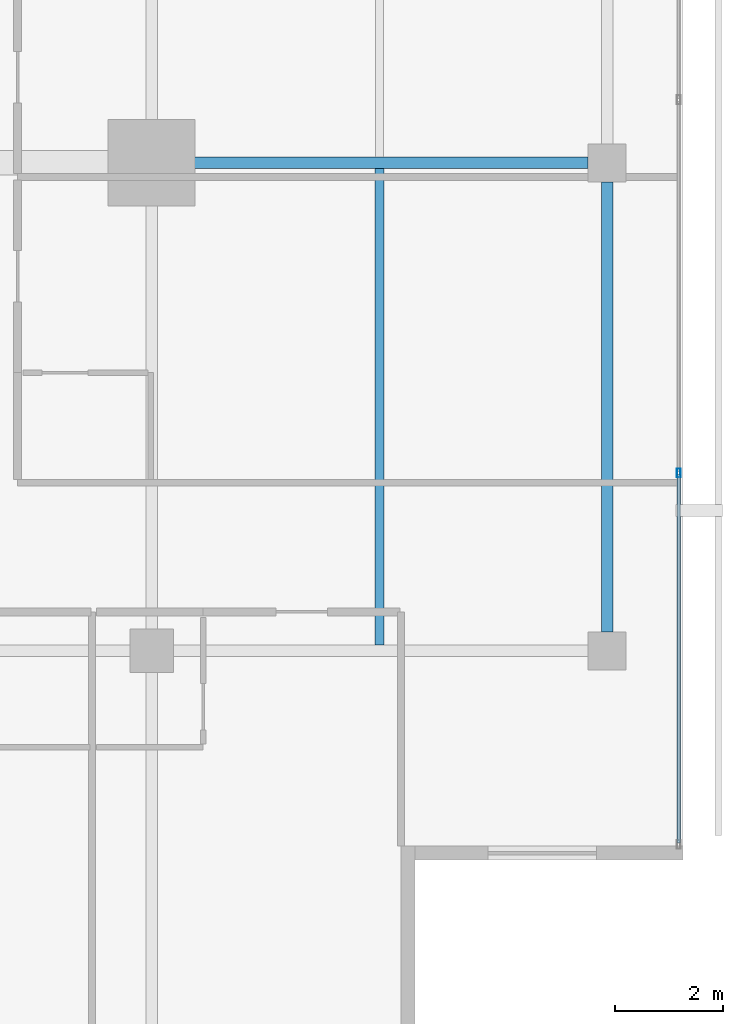
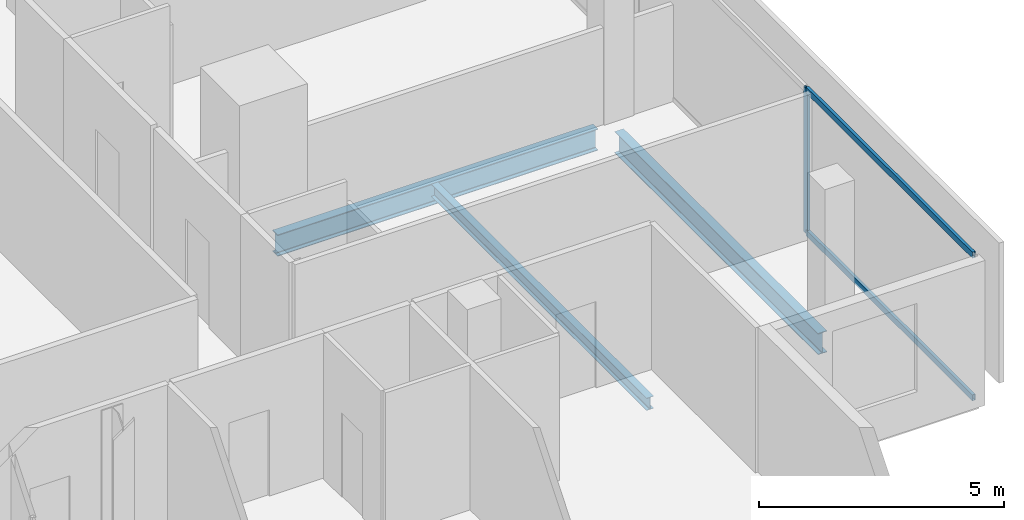
# One storey, part 12 of 25: 3 beams, 3 members, 1 element without a shape of its own.
"""IFC4 building model written with IfcOpenShell, lengths in metres."""

from ifc_helpers import new_model, si_unit, direction, frame, origin, origin_2d, place, context, subcontext, project, spatial, hollow_rectangle, i_section, extrude, material, layer, layer_set, material_profile, profile_set, type_object, element, aggregate, save


model = new_model("IFC4")

# Units and contexts
model_context = context("Model", 3, precision=1e-05, world=origin(), true_north=direction((0.0, 1.0)))
body_context = subcontext(model_context, "Body", "Model", "MODEL_VIEW")
ifc_project = project(units=[si_unit("LENGTHUNIT", "METRE"), si_unit("AREAUNIT", "SQUARE_METRE"), si_unit("VOLUMEUNIT", "CUBIC_METRE"), si_unit("PLANEANGLEUNIT", "RADIAN"), si_unit("MASSUNIT", "GRAM", prefix="KILO")], contexts=[model_context])

# Site, building, storey
site_placement = place(None, origin())
site = spatial("IfcSite", under=ifc_project, at=site_placement, CompositionType="ELEMENT")
building_placement = place(site_placement, origin())
building = spatial("IfcBuilding", under=site, at=building_placement, Name="Maruvema Waterfront Hotel and Observation Tower", CompositionType="ELEMENT")
storey_placement = place(building_placement, frame((0.0, 0.0, 239.39990234375)))
storey = spatial("IfcBuildingStorey", under=building, at=storey_placement, Name="L58", CompositionType="ELEMENT", Elevation=239.39990234375)

# Curtain wall, members
ifc_material_1 = material(Name="Anodised bronze aluminium and solar-control low-E IGU", Category="aluminium")
ifc_layer = layer(ifc_material_1, 0.159912109375, Name="Zone 3 Champagne Inner Thermal Curtain Wall System CW-04")
ifc_layer_set = layer_set([ifc_layer], Name="Anodised bronze aluminium and solar-control low-E IGU")
curtain_wall_type = type_object("IfcCurtainWallType", Name="Zone 3 Champagne Inner Thermal Curtain Wall System CW-04", PredefinedType="USERDEFINED", material=ifc_layer_set)
curtain_wall_placement = place(storey_placement, origin())
curtain_wall = element("IfcCurtainWall", 1, at=curtain_wall_placement, inside=storey, type_object=curtain_wall_type, Name="L58 Curtain Wall CW-L58-E", ObjectType="UNITISED CURTAIN WALL", PredefinedType="USERDEFINED")
ifc_material_2 = material(Name="Anodised architectural bronze aluminium", Category="aluminium")
ifc_material_profile_1 = material_profile(ifc_material_2, hollow_rectangle(XDim=0.070068359375, YDim=0.14990234375, WallThickness=0.00390625, at=origin_2d()), Name="ALU-T70x150")
ifc_profile_set_1 = profile_set([ifc_material_profile_1], Name="Anodised architectural bronze aluminium")
member_type_1 = type_object("IfcMemberType", Name="Curtain Wall Horizontal Transom ALU-T70x150", PredefinedType="USERDEFINED", material=ifc_profile_set_1)
member_1_placement = place(storey_placement, frame((60.1201171875, 14.4599609375, 0.030029296875), z_axis=(0.0, 1.0, 0.0), x_axis=(-1.0, 0.0, 0.0)))
member_1 = element("IfcMember", 2, at=member_1_placement, type_object=member_type_1, Name="CW-04 transom 1.1", ObjectType="TRANSOM", PredefinedType="USERDEFINED", context=body_context, shape_type="SweptSolid", body=[
    extrude(hollow_rectangle(XDim=0.070068359375, YDim=0.14990234375, WallThickness=0.00390625, at=origin_2d()), origin(), (0.0, 0.0, 1.0), 6.7900390625),
])
member_2_placement = place(storey_placement, frame((60.1201171875, 14.4599609375, 3.580078125), z_axis=(0.0, 1.0, 0.0), x_axis=(-1.0, 0.0, 0.0)))
member_2 = element("IfcMember", 3, at=member_2_placement, type_object=member_type_1, Name="CW-04 transom 1.2", ObjectType="TRANSOM", PredefinedType="USERDEFINED", context=body_context, shape_type="SweptSolid", body=[
    extrude(hollow_rectangle(XDim=0.070068359375, YDim=0.14990234375, WallThickness=0.00390625, at=origin_2d()), origin(), (0.0, 0.0, 1.0), 6.7900390625),
])
ifc_material_3 = material(Name="Anodised architectural bronze aluminium", Category="aluminium")
ifc_material_profile_2 = material_profile(ifc_material_3, hollow_rectangle(XDim=0.06494140625, YDim=0.1650390625, WallThickness=0.00390625, at=origin_2d()), Name="ALU-M65x165")
ifc_profile_set_2 = profile_set([ifc_material_profile_2], Name="Anodised architectural bronze aluminium")
member_type_2 = type_object("IfcMemberType", Name="Curtain Wall Primary Mullion ALU-M65x165", PredefinedType="MULLION", material=ifc_profile_set_2)
member_3_placement = place(storey_placement, frame((60.1201171875, 21.280029296875, 0.0), z_axis=(0.0, 0.0, 1.0), x_axis=(-1.0, 0.0, 0.0)))
member_3 = element("IfcMember", 4, at=member_3_placement, type_object=member_type_2, Name="CW-04 mullion 2", PredefinedType="MULLION", context=body_context, shape_type="SweptSolid", body=[
    extrude(hollow_rectangle(XDim=0.06494140625, YDim=0.1650390625, WallThickness=0.00390625, at=origin_2d()), origin(), (0.0, 0.0, 1.0), 3.610107421875),
])
aggregate(curtain_wall, [member_3, member_1, member_2])

# Beams
ifc_material_4 = material(Name="Steel ASTM A572 Grade 50", Category="steel")
ifc_material_profile_3 = material_profile(ifc_material_4, i_section(OverallWidth=0.208984375, OverallDepth=0.532958984375, WebThickness=0.01025390625, FlangeThickness=0.015625, FilletRadius=0.014892578125, at=origin_2d()), Name="W530x92.0")
ifc_profile_set_3 = profile_set([ifc_material_profile_3], Name="Steel ASTM A572 Grade 50")
beam_type_1 = type_object("IfcBeamType", Name="Primary Floor Girder W530x92.0", PredefinedType="BEAM", material=ifc_profile_set_3)
beam_1_placement = place(storey_placement, frame((50.89990234375, 27.0, -0.50634765625), z_axis=(1.0, 0.0, 0.0), x_axis=(0.0, 1.0, 0.0)))
element("IfcBeam", 5, at=beam_1_placement, inside=storey, type_object=beam_type_1, Name="L58 Floor Girder EW-11", PredefinedType="BEAM", context=body_context, shape_type="SweptSolid", body=[
    extrude(i_section(OverallWidth=0.208984375, OverallDepth=0.532958984375, WebThickness=0.01025390625, FlangeThickness=0.015625, FilletRadius=0.014892578125, at=origin_2d()), origin(), (0.0, 0.0, 1.0), 7.550048828125),
])
beam_2_placement = place(storey_placement, frame((58.800048828125, 18.35009765625, -0.50634765625), z_axis=(0.0, 1.0, 0.0), x_axis=(-1.0, 0.0, 0.0)))
element("IfcBeam", 6, at=beam_2_placement, inside=storey, type_object=beam_type_1, Name="L58 Floor Girder NS-16", PredefinedType="BEAM", context=body_context, shape_type="SweptSolid", body=[
    extrude(i_section(OverallWidth=0.208984375, OverallDepth=0.532958984375, WebThickness=0.01025390625, FlangeThickness=0.015625, FilletRadius=0.014892578125, at=origin_2d()), origin(), (0.0, 0.0, 1.0), 8.2998046875),
])
ifc_material_5 = material(Name="Steel ASTM A572 Grade 50", Category="steel")
ifc_material_profile_4 = material_profile(ifc_material_5, i_section(OverallWidth=0.1650390625, OverallDepth=0.31005859375, WebThickness=0.005859375, FlangeThickness=0.009765625, FilletRadius=0.012939453125, at=origin_2d()), Name="W310x38.7")
ifc_profile_set_4 = profile_set([ifc_material_profile_4], Name="Steel ASTM A572 Grade 50")
beam_type_2 = type_object("IfcBeamType", Name="Secondary Floor Joist W310x38.7", PredefinedType="JOIST", material=ifc_profile_set_4)
beam_3_placement = place(storey_placement, frame((54.60009765625, 18.1044921875, -0.39501953125), z_axis=(0.0, 1.0, 0.0), x_axis=(-1.0, 0.0, 0.0)))
element("IfcBeam", 7, at=beam_3_placement, inside=storey, type_object=beam_type_2, Name="L58 Secondary Floor Joist JS-07", PredefinedType="JOIST", context=body_context, shape_type="SweptSolid", body=[
    extrude(i_section(OverallWidth=0.1650390625, OverallDepth=0.31005859375, WebThickness=0.005859375, FlangeThickness=0.009765625, FilletRadius=0.012939453125, at=origin_2d()), origin(), (0.0, 0.0, 1.0), 8.791015625),
])

save(model, "model.ifc")
